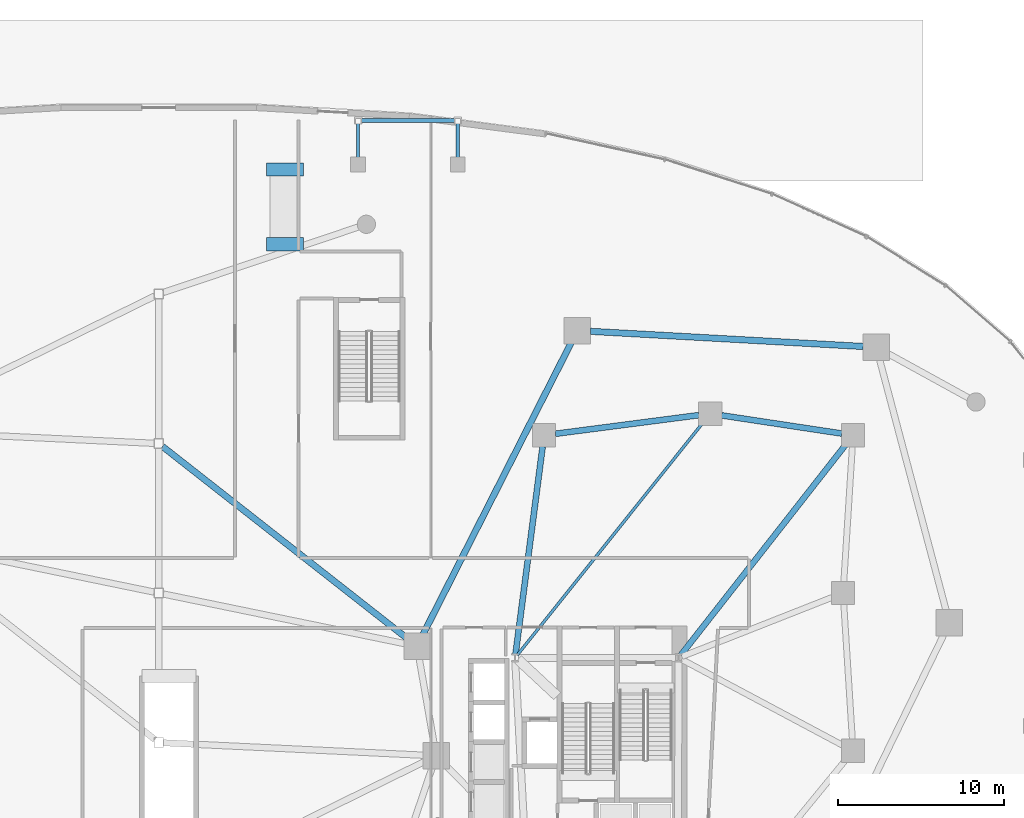
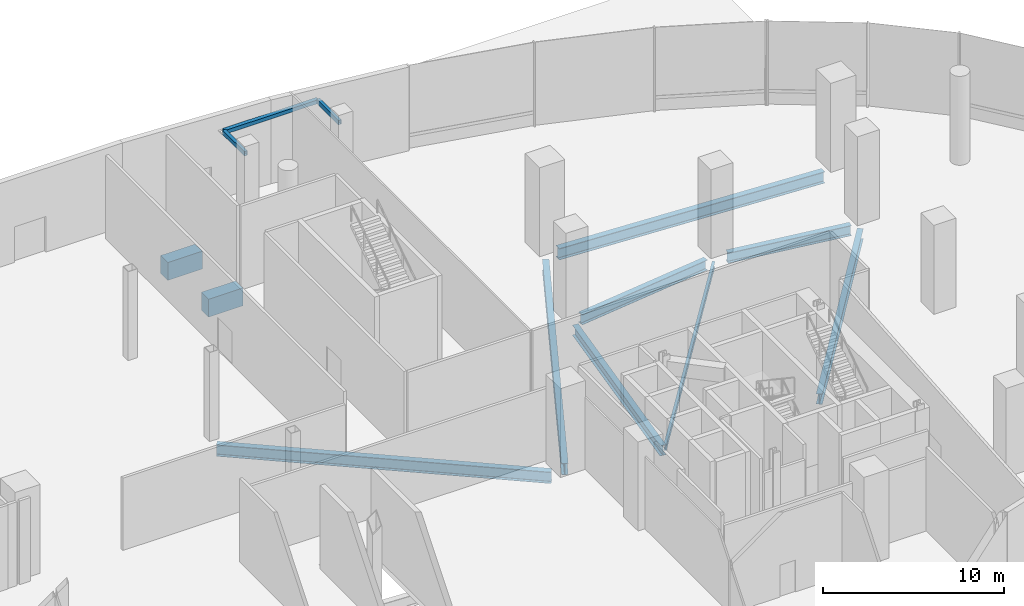
# One storey, part 9 of 20: 12 beams, 1 member.
"""IFC4 building model written with IfcOpenShell, lengths in metres."""

from ifc_helpers import new_model, si_unit, direction, frame, origin, origin_2d, place, context, subcontext, project, spatial, rectangle, hollow_rectangle, i_section, extrude, material, material_profile, profile_set, type_object, element, save


model = new_model("IFC4")

# Units and contexts
model_context = context("Model", 3, precision=1e-05, world=origin(), true_north=direction((0.0, 1.0)))
body_context = subcontext(model_context, "Body", "Model", "MODEL_VIEW")
ifc_project = project(units=[si_unit("LENGTHUNIT", "METRE"), si_unit("AREAUNIT", "SQUARE_METRE"), si_unit("VOLUMEUNIT", "CUBIC_METRE"), si_unit("PLANEANGLEUNIT", "RADIAN"), si_unit("MASSUNIT", "GRAM", prefix="KILO"), si_unit("THERMODYNAMICTEMPERATUREUNIT", "KELVIN"), si_unit("POWERUNIT", "WATT")], contexts=[model_context])

# Site, building, storey
site_placement = place(None, origin())
site = spatial("IfcSite", under=ifc_project, at=site_placement, CompositionType="ELEMENT")
building_placement = place(site_placement, origin())
building = spatial("IfcBuilding", under=site, at=building_placement, Name="Cundina Bronze Exchange", CompositionType="ELEMENT")
storey_placement = place(building_placement, origin())
storey = spatial("IfcBuildingStorey", under=building, at=storey_placement, Name="L00", CompositionType="ELEMENT", Elevation=0.0)

# Beams
ifc_material_1 = material(Name="Steel ASTM A500 Grade C", Category="steel")
ifc_material_profile_1 = material_profile(ifc_material_1, hollow_rectangle(XDim=0.199951171875, YDim=0.300048828125, WallThickness=0.011962890625, at=origin_2d()), Name="HSS300X200X12", Category="steel")
ifc_profile_set_1 = profile_set([ifc_material_profile_1], Name="Steel ASTM A500 Grade C")
beam_type_1 = type_object("IfcBeamType", Name="BM-CAN-HSS3020", PredefinedType="BEAM", material=ifc_profile_set_1)
for number, where, z_axis, x_axis, name in (
    (1, (12.0, 26.0, 4.64990234375), (0.0, 1.0, 0.0), (-1.0, 0.0, 0.0), "L00 North Station Entrance Canopy Outrigger 07"),
    (2, (18.0, 26.0, 4.64990234375), (0.0, 1.0, 0.0), (-1.0, 0.0, 0.0), "L00 North Station Entrance Canopy Outrigger 08"),
):
    element("IfcBeam", number, at=place(storey_placement, frame(where, z_axis=z_axis, x_axis=x_axis)), inside=storey, type_object=beam_type_1, Name=name, PredefinedType="BEAM", context=body_context, shape_type="SweptSolid", body=[
        extrude(hollow_rectangle(XDim=0.199951171875, YDim=0.300048828125, WallThickness=0.011962890625, at=origin_2d()), origin(), (0.0, 0.0, 1.0), 2.39990234375),
    ])
ifc_material_2 = material(Name="Concrete C40/50", Category="concrete")
ifc_material_profile_2 = material_profile(ifc_material_2, rectangle(XDim=0.800048828125, YDim=1.199951171875, at=origin_2d()), Name="RC800X1200", Category="concrete")
ifc_profile_set_2 = profile_set([ifc_material_profile_2], Name="Concrete C40/50")
beam_type_2 = type_object("IfcBeamType", Name="BM-GRND-RC1200", PredefinedType="BEAM", material=ifc_profile_set_2)
for number, where, z_axis, x_axis, name in (
    (3, (6.5, 25.5, -0.85009765625), (1.0, 0.0, 0.0), (0.0, 1.0, 0.0), "L00 Accessible Ramp N Lower Bearing Beam"),
    (4, (6.5, 21.0, -0.60009765625), (1.0, 0.0, 0.0), (0.0, 1.0, 0.0), "L00 Accessible Ramp N Upper Bearing Beam"),
):
    element("IfcBeam", number, at=place(storey_placement, frame(where, z_axis=z_axis, x_axis=x_axis)), inside=storey, type_object=beam_type_2, Name=name, PredefinedType="BEAM", context=body_context, shape_type="SweptSolid", body=[
        extrude(rectangle(XDim=0.800048828125, YDim=1.199951171875, at=origin_2d()), origin(), (0.0, 0.0, 1.0), 2.199951171875),
    ])
ifc_material_3 = material(Name="Steel ASTM A992 Grade 50", Category="steel")
ifc_material_profile_3 = material_profile(ifc_material_3, i_section(OverallWidth=0.172119140625, OverallDepth=0.35791015625, WebThickness=0.0078125, FlangeThickness=0.01318359375, FilletRadius=0.010009765625, at=origin_2d()), Name="W14X38", Category="steel")
ifc_profile_set_3 = profile_set([ifc_material_profile_3], Name="Steel ASTM A992 Grade 50")
beam_type_3 = type_object("IfcBeamType", Name="BM-JST-W14", PredefinedType="JOIST", material=ifc_profile_set_3)
beam_1_placement = place(storey_placement, frame((21.577392578125, -3.740478515625, -0.529052734375), z_axis=(0.624374458297, 0.781125172957, 0.0), x_axis=(-0.781125172957, 0.624374458297, 0.0)))
element("IfcBeam", 5, at=beam_1_placement, inside=storey, type_object=beam_type_3, Name="L00 E Interior Core-to-Ring Joist 2", PredefinedType="JOIST", context=body_context, shape_type="SweptSolid", body=[
    extrude(i_section(OverallWidth=0.172119140625, OverallDepth=0.35791015625, WebThickness=0.0078125, FlangeThickness=0.01318359375, FilletRadius=0.010009765625, at=origin_2d()), origin(), (0.0, 0.0, 1.0), 17.927001953125),
])
ifc_material_profile_4 = material_profile(ifc_material_3, i_section(OverallWidth=0.35498046875, OverallDepth=0.695068359375, WebThickness=0.015380859375, FlangeThickness=0.02490234375, FilletRadius=0.01806640625, at=origin_2d()), Name="W27X146", Category="steel")
ifc_profile_set_4 = profile_set([ifc_material_profile_4], Name="Steel ASTM A992 Grade 50")
beam_type_4 = type_object("IfcBeamType", Name="BM-RING-W27", PredefinedType="USERDEFINED", material=ifc_profile_set_4)
beam_2_placement = place(storey_placement, frame((41.11962890625, 9.602783203125, -0.697509765625), z_axis=(-0.988763496177, 0.149488289268, 0.0), x_axis=(-0.149488289268, -0.988763496177, 0.0)))
element("IfcBeam", 6, at=beam_2_placement, inside=storey, type_object=beam_type_4, Name="L00 E Inner Structural Ring Girder 05", ObjectType="GIRDER", PredefinedType="USERDEFINED", context=body_context, shape_type="SweptSolid", body=[
    extrude(i_section(OverallWidth=0.35498046875, OverallDepth=0.695068359375, WebThickness=0.015380859375, FlangeThickness=0.02490234375, FilletRadius=0.01806640625, at=origin_2d()), origin(), (0.0, 0.0, 1.0), 7.321533203125),
])
beam_3_placement = place(storey_placement, frame((32.517578125, 10.711181640625, -0.697509765625), z_axis=(-0.991655975758, -0.128912473185, 0.0), x_axis=(0.128912473185, -0.991655975758, 0.0)))
element("IfcBeam", 7, at=beam_3_placement, inside=storey, type_object=beam_type_4, Name="L00 E Inner Structural Ring Girder 06", ObjectType="GIRDER", PredefinedType="USERDEFINED", context=body_context, shape_type="SweptSolid", body=[
    extrude(i_section(OverallWidth=0.35498046875, OverallDepth=0.695068359375, WebThickness=0.015380859375, FlangeThickness=0.02490234375, FilletRadius=0.01806640625, at=origin_2d()), origin(), (0.0, 0.0, 1.0), 8.7080078125),
])
beam_4_placement = place(storey_placement, frame((23.11083984375, 8.81787109375, -0.697509765625), z_axis=(-0.129498776905, -0.991579581668, 0.0), x_axis=(0.991579581668, -0.129498776905, 0.0)))
element("IfcBeam", 8, at=beam_4_placement, inside=storey, type_object=beam_type_4, Name="L00 E Inner Structural Ring Girder 07", ObjectType="GIRDER", PredefinedType="USERDEFINED", context=body_context, shape_type="SweptSolid", body=[
    extrude(i_section(OverallWidth=0.35498046875, OverallDepth=0.695068359375, WebThickness=0.015380859375, FlangeThickness=0.02490234375, FilletRadius=0.01806640625, at=origin_2d()), origin(), (0.0, 0.0, 1.0), 12.621826171875),
])
beam_5_placement = place(storey_placement, frame((31.42578125, -3.739501953125, -0.697509765625), z_axis=(0.616784362929, 0.787132167839, 0.0), x_axis=(-0.787132167839, 0.616784362929, 0.0)))
element("IfcBeam", 9, at=beam_5_placement, inside=storey, type_object=beam_type_4, Name="L00 E Core-to-Waist Tie Beam 3", ObjectType="GIRDER", PredefinedType="USERDEFINED", context=body_context, shape_type="SweptSolid", body=[
    extrude(i_section(OverallWidth=0.35498046875, OverallDepth=0.695068359375, WebThickness=0.015380859375, FlangeThickness=0.02490234375, FilletRadius=0.01806640625, at=origin_2d()), origin(), (0.0, 0.0, 1.0), 16.132080078125),
])
ifc_material_profile_5 = material_profile(ifc_material_3, i_section(OverallWidth=0.381103515625, OverallDepth=0.77294921875, WebThickness=0.0166015625, FlangeThickness=0.027099609375, FilletRadius=0.01904296875, at=origin_2d()), Name="W30X173", Category="steel")
ifc_profile_set_5 = profile_set([ifc_material_profile_5], Name="Steel ASTM A992 Grade 50")
beam_type_5 = type_object("IfcBeamType", Name="BM-RING-W30", PredefinedType="USERDEFINED", material=ifc_profile_set_5)
beam_6_placement = place(storey_placement, frame((0.2265625, 8.822265625, -0.736572265625), z_axis=(0.786753774413, -0.617266958817, 0.0), x_axis=(0.617266958817, 0.786753774413, 0.0)))
element("IfcBeam", 10, at=beam_6_placement, inside=storey, type_object=beam_type_5, Name="L00 Concourse East Span Girder 04", ObjectType="GIRDER", PredefinedType="USERDEFINED", context=body_context, shape_type="SweptSolid", body=[
    extrude(i_section(OverallWidth=0.381103515625, OverallDepth=0.77294921875, WebThickness=0.0166015625, FlangeThickness=0.027099609375, FilletRadius=0.01904296875, at=origin_2d()), origin(), (0.0, 0.0, 1.0), 18.688720703125),
])
beam_7_placement = place(storey_placement, frame((42.4130859375, 14.84375, -0.736572265625), z_axis=(-0.998460261881, 0.05547166343, 0.0), x_axis=(-0.05547166343, -0.998460261881, 0.0)))
element("IfcBeam", 11, at=beam_7_placement, inside=storey, type_object=beam_type_5, Name="L00 E Podium Ring Girder 10", ObjectType="GIRDER", PredefinedType="USERDEFINED", context=body_context, shape_type="SweptSolid", body=[
    extrude(i_section(OverallWidth=0.381103515625, OverallDepth=0.77294921875, WebThickness=0.0166015625, FlangeThickness=0.027099609375, FilletRadius=0.01904296875, at=origin_2d()), origin(), (0.0, 0.0, 1.0), 16.45166015625),
])
beam_8_placement = place(storey_placement, frame((24.84326171875, 15.097412109375, -0.736572265625), z_axis=(-0.452846100384, -0.891588699663, 0.0), x_axis=(0.891588699663, -0.452846100384, 0.0)))
element("IfcBeam", 12, at=beam_8_placement, inside=storey, type_object=beam_type_5, Name="L00 E Podium Ring Girder 12", ObjectType="GIRDER", PredefinedType="USERDEFINED", context=body_context, shape_type="SweptSolid", body=[
    extrude(i_section(OverallWidth=0.381103515625, OverallDepth=0.77294921875, WebThickness=0.0166015625, FlangeThickness=0.027099609375, FilletRadius=0.01904296875, at=origin_2d()), origin(), (0.0, 0.0, 1.0), 19.734130859375),
])

# Member
ifc_material_profile_6 = material_profile(ifc_material_1, hollow_rectangle(XDim=0.25, YDim=0.25, WallThickness=0.013916015625, at=origin_2d()), Name="HSS250X250X14", Category="steel")
ifc_profile_set_6 = profile_set([ifc_material_profile_6], Name="Steel ASTM A500 Grade C")
member_type = type_object("IfcMemberType", Name="MBR-CAN-HSS250", PredefinedType="STRINGER", material=ifc_profile_set_6)
member_placement = place(storey_placement, frame((12.0, 28.449951171875, 4.64990234375), z_axis=(1.0, 0.0, 0.0), x_axis=(0.0, 1.0, 0.0)))
element("IfcMember", 13, at=member_placement, inside=storey, type_object=member_type, Name="L00 North Canopy Fascia Stringer 07", PredefinedType="STRINGER", context=body_context, shape_type="SweptSolid", body=[
    extrude(hollow_rectangle(XDim=0.25, YDim=0.25, WallThickness=0.013916015625, at=origin_2d()), origin(), (0.0, 0.0, 1.0), 6.0),
])

save(model, "model.ifc")
